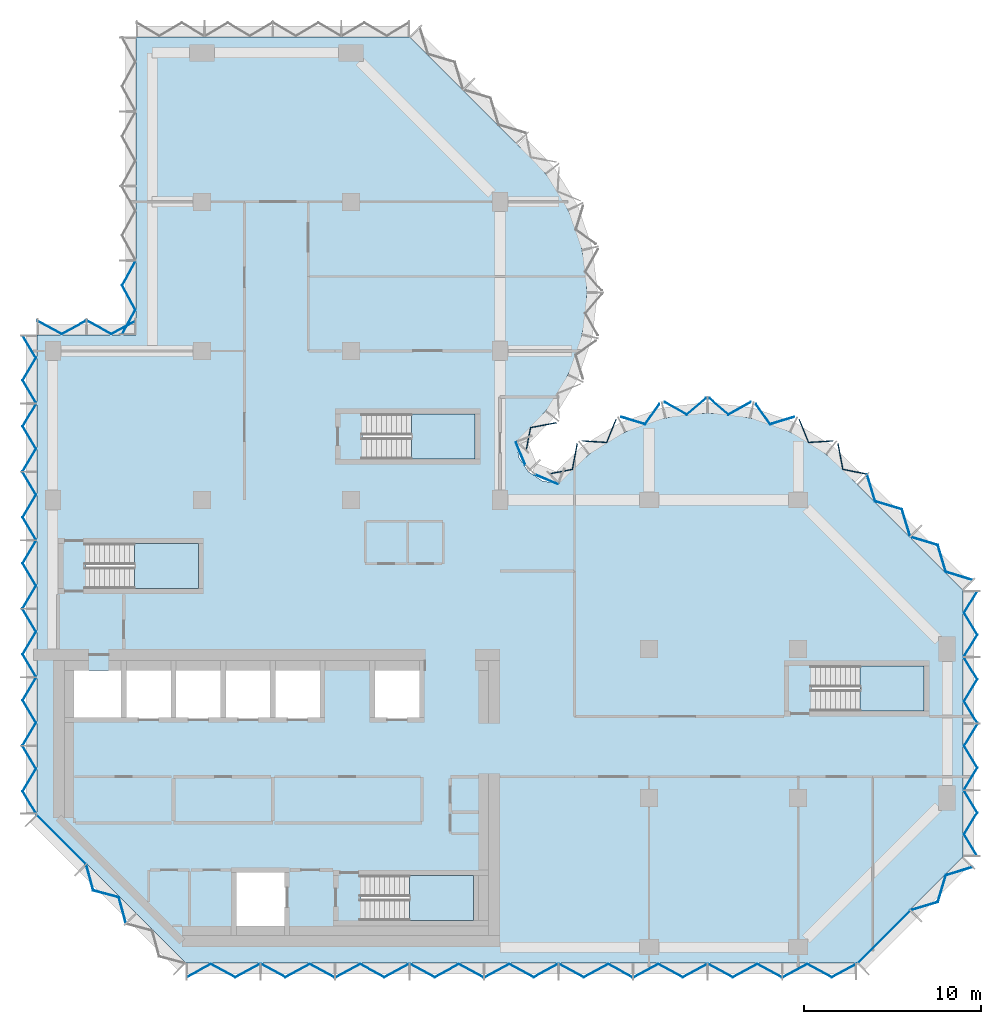
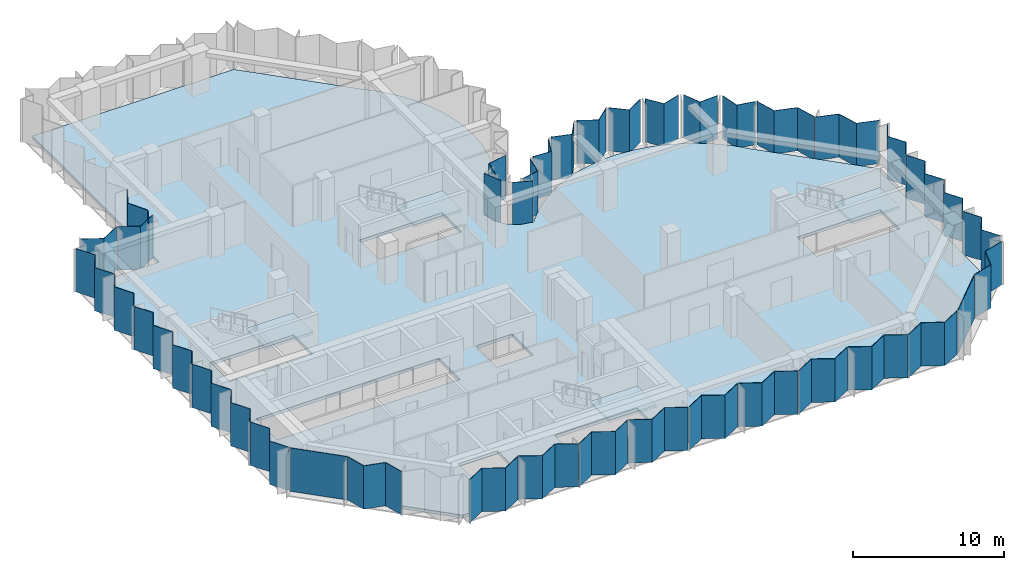
# One storey, part 3 of 9: 40 plates, 5 slabs, 15 elements without a shape of their own.
"""IFC4 building model written with IfcOpenShell, lengths in metres."""

import ifcopenshell
import ifcopenshell.guid

model = None  # the IFC model being written
_history = None  # IfcOwnerHistory: only IFC2X3 demands one
_inside = {}  # id of a spatial element -> (the spatial element, [elements in it])
_under = {}  # id of a project, library or spatial element -> (it, [spatial elements below it])
_declared = {}  # id of a project -> (the project, [libraries it declares])
_typed = {}  # id of a type object -> (the type object, [elements of that type])
_made_of = {}  # id of a material, layer set ... -> (it, [elements and type objects made of it])


def new_model(schema):
    """Start an empty IFC model of exactly this schema.

    Asked for "IFC4X3", IfcOpenShell would pick the latest addendum, in which some entities
    have other attributes; the version numbers below select the first issue.
    IFC2X3 requires an IfcOwnerHistory on every rooted entity: one is made here for all.
    """
    global model, _history
    if schema == "IFC4X3":
        model = ifcopenshell.file(schema_version=(4, 3, 0, 0))
    else:
        model = ifcopenshell.file(schema=schema)
    _inside.clear()
    _under.clear()
    _declared.clear()
    _typed.clear()
    _made_of.clear()
    _history = None
    if model.schema == "IFC2X3":
        org = make("IfcOrganization", Name="unknown")
        user = make(
            "IfcPersonAndOrganization",
            ThePerson=make("IfcPerson", FamilyName="unknown"),
            TheOrganization=org,
        )
        app = make(
            "IfcApplication",
            ApplicationDeveloper=org,
            Version="unknown",
            ApplicationFullName="unknown",
            ApplicationIdentifier="unknown",
        )
        _history = make(
            "IfcOwnerHistory",
            OwningUser=user,
            OwningApplication=app,
            ChangeAction="ADDED",
            CreationDate=0,
        )
    return model


def make(cls, **values):
    """One entity of the class cls with the attributes given. An attribute that is None is left unset."""
    return model.create_entity(
        cls, **{name: value for name, value in values.items() if value is not None}
    )


def rooted(cls, **values):
    """An entity with a GlobalId (a new one), such as an element, a storey or a relation."""
    return make(cls, GlobalId=ifcopenshell.guid.new(), OwnerHistory=_history, **values)


def si_unit(unit_type, name, prefix=None):
    """IfcSIUnit, for example si_unit("LENGTHUNIT", "METRE", prefix="MILLI")."""
    return make("IfcSIUnit", UnitType=unit_type, Prefix=prefix, Name=name)


def assignment(units):
    """IfcUnitAssignment: the units of a project."""
    return None if units is None else make("IfcUnitAssignment", Units=units)


def point(xyz):
    """IfcCartesianPoint."""
    return None if xyz is None else make("IfcCartesianPoint", Coordinates=xyz)


def direction(xyz):
    """IfcDirection."""
    return None if xyz is None else make("IfcDirection", DirectionRatios=xyz)


def frame(location, z_axis=None, x_axis=None):
    """IfcAxis2Placement3D, a coordinate frame: its origin and axes. An axis left out is left unset."""
    return make(
        "IfcAxis2Placement3D",
        Location=point(location),
        Axis=direction(z_axis),
        RefDirection=direction(x_axis),
    )


def origin():
    """The frame at (0, 0, 0) with its axes left unset."""
    return frame((0.0, 0.0, 0.0))


def place(relative_to, where):
    """IfcLocalPlacement: puts the frame where relative to a parent placement (None: the world)."""
    return make(
        "IfcLocalPlacement", PlacementRelTo=relative_to, RelativePlacement=where
    )


def context(
    kind, dimensions, precision=None, world=None, true_north=None, identifier=None
):
    """IfcGeometricRepresentationContext, for example the 3D "Model" context."""
    return make(
        "IfcGeometricRepresentationContext",
        ContextIdentifier=identifier,
        ContextType=kind,
        CoordinateSpaceDimension=dimensions,
        Precision=precision,
        WorldCoordinateSystem=world,
        TrueNorth=true_north,
    )


def subcontext(parent, identifier, kind, view, scale=None):
    """IfcGeometricRepresentationSubContext, for example "Body" below "Model"."""
    return make(
        "IfcGeometricRepresentationSubContext",
        ContextIdentifier=identifier,
        ContextType=kind,
        ParentContext=parent,
        TargetScale=scale,
        TargetView=view,
    )


def project(units=None, contexts=None):
    """IfcProject with its units and contexts."""
    return rooted(
        "IfcProject",
        Name="project",
        RepresentationContexts=contexts,
        UnitsInContext=assignment(units),
    )


def spatial(cls, under=None, at=None, **own):
    """A site, building, storey or space (cls), placed at a placement, below another one or the project."""
    s = rooted(cls, ObjectPlacement=at, **own)
    if under is not None:
        _under.setdefault(under.id(), (under, []))[1].append(s)
    return s


def polyline(points):
    """IfcPolyline through the points."""
    return make("IfcPolyline", Points=[point(p) for p in points])


def outline(outer, holes=None, kind="AREA"):
    """IfcArbitraryClosedProfileDef: a profile drawn as a closed curve; with holes, ...WithVoids."""
    if holes is None:
        return make("IfcArbitraryClosedProfileDef", ProfileType=kind, OuterCurve=outer)
    return make(
        "IfcArbitraryProfileDefWithVoids",
        ProfileType=kind,
        OuterCurve=outer,
        InnerCurves=holes,
    )


def extrude(swept, where, along, depth):
    """IfcExtrudedAreaSolid: the profile swept, set in the frame where, extruded along a direction by depth."""
    return make(
        "IfcExtrudedAreaSolid",
        SweptArea=swept,
        Position=where,
        ExtrudedDirection=direction(along),
        Depth=depth,
    )


def shape(context_of_items, identifier, shape_type, items):
    """IfcShapeRepresentation: the items that make up one representation, for example the "Body"."""
    return make(
        "IfcShapeRepresentation",
        ContextOfItems=context_of_items,
        RepresentationIdentifier=identifier,
        RepresentationType=shape_type,
        Items=items,
    )


def material(Name=None, Category=None):
    """IfcMaterial."""
    return make("IfcMaterial", Name=Name, Category=Category)


def layer(
    of_material, thickness, ventilated=None, Name=None, Category=None, Priority=None
):
    """IfcMaterialLayer: one layer of a wall or slab, of a material (None: an air gap)."""
    return make(
        "IfcMaterialLayer",
        Material=of_material,
        LayerThickness=thickness,
        IsVentilated=ventilated,
        Name=Name,
        Category=Category,
        Priority=Priority,
    )


def layer_set(layers, Name=None):
    """IfcMaterialLayerSet."""
    return make("IfcMaterialLayerSet", MaterialLayers=layers, LayerSetName=Name)


def made_of(thing, what):
    """Note that an element or type object is made of a material, layer set ...; save() writes the relation."""
    if what is not None:
        _made_of.setdefault(what.id(), (what, []))[1].append(thing)
    return thing


def type_object(cls, material=None, **own):
    """A type object (cls), such as IfcWallType, which elements share."""
    return made_of(rooted(cls, **own), material)


def element(
    cls,
    number,
    at=None,
    inside=None,
    cuts=None,
    type_object=None,
    material=None,
    context=None,
    identifier="Body",
    shape_type=None,
    held_by="IfcProductDefinitionShape",
    body=None,
    shapes=None,
    **own,
):
    """One element of the class cls, such as IfcWall. Its Tag is "e" and its number.

    at: its placement. inside: the storey or other place that contains it. cuts: it is an
    opening in that element (IfcRelVoidsElement). A single representation is given by context,
    identifier, shape_type and body (its items); several are given by shapes. held_by: the class
    of the entity that holds the representations. save() writes the other relations.
    """
    e = rooted(cls, Tag="e%d" % number, ObjectPlacement=at, **own)
    if body is not None:
        shapes = [shape(context, identifier, shape_type, body)]
    if shapes is not None:
        e.Representation = make(held_by, Representations=shapes)
    if inside is not None:
        _inside.setdefault(inside.id(), (inside, []))[1].append(e)
    if cuts is not None:
        rooted(
            "IfcRelVoidsElement", RelatingBuildingElement=cuts, RelatedOpeningElement=e
        )
    if type_object is not None:
        _typed.setdefault(type_object.id(), (type_object, []))[1].append(e)
    return made_of(e, material)


def aggregate(whole, parts):
    """IfcRelAggregates: a whole, such as a stair, and the parts it consists of."""
    return rooted("IfcRelAggregates", RelatingObject=whole, RelatedObjects=parts)


def save(model, path):
    """Write the relations noted so far, then the file.

    IfcRelAggregates (storeys below a building ...), IfcRelContainedInSpatialStructure (elements
    in a storey), IfcRelDefinesByType, IfcRelAssociatesMaterial and IfcRelDeclares: one each for
    every whole, place, type object, material and project.
    """
    for whole, parts in _under.values():
        aggregate(whole, parts)
    for where, things in _inside.values():
        rooted(
            "IfcRelContainedInSpatialStructure",
            RelatedElements=things,
            RelatingStructure=where,
        )
    for kind, things in _typed.values():
        rooted("IfcRelDefinesByType", RelatedObjects=things, RelatingType=kind)
    for what, things in _made_of.values():
        rooted("IfcRelAssociatesMaterial", RelatedObjects=things, RelatingMaterial=what)
    for by, libraries in _declared.values():
        rooted("IfcRelDeclares", RelatingContext=by, RelatedDefinitions=libraries)
    model.write(path)


model = new_model("IFC4")

# Units and contexts
model_context = context("Model", 3, precision=1e-05, world=origin(), true_north=direction((0.0, 1.0)))
body_context = subcontext(model_context, "Body", "Model", "MODEL_VIEW")
ifc_project = project(units=[si_unit("LENGTHUNIT", "METRE"), si_unit("AREAUNIT", "SQUARE_METRE"), si_unit("VOLUMEUNIT", "CUBIC_METRE"), si_unit("PLANEANGLEUNIT", "RADIAN"), si_unit("MASSUNIT", "GRAM", prefix="KILO")], contexts=[model_context])

# Site, building, storey
site_placement = place(None, origin())
site = spatial("IfcSite", under=ifc_project, at=site_placement, CompositionType="ELEMENT")
building_placement = place(site_placement, origin())
building = spatial("IfcBuilding", under=site, at=building_placement, Name="Brevane Broadcast Tower", CompositionType="ELEMENT")
storey_placement = place(building_placement, frame((0.0, 0.0, 192.0)))
storey = spatial("IfcBuildingStorey", under=building, at=storey_placement, Name="L48", CompositionType="ELEMENT", Elevation=192.0)

# Curtain wall, plates
ifc_material_1 = material(Name="Aluminium 6063-T6 bronze anodised", Category="aluminium")
curtain_wall_type = type_object("IfcCurtainWallType", Name="CW-1 curtain wall", PredefinedType="NOTDEFINED", material=ifc_material_1)
curtain_wall_1_placement = place(storey_placement, origin())
curtain_wall_1 = element("IfcCurtainWall", 1, at=curtain_wall_1_placement, inside=storey, type_object=curtain_wall_type, Name="CW-1 typical tilted unit L48 south face", PredefinedType="NOTDEFINED")
ifc_material_2 = material(Name="Laminated glass bronze-tinted", Category="glass")
ifc_layer_1 = layer(ifc_material_2, 0.0400390625)
ifc_layer_set_1 = layer_set([ifc_layer_1], Name="CW tall glass panel 40")
plate_type = type_object("IfcPlateType", Name="CW tall glass panel 40", PredefinedType="CURTAIN_PANEL", material=ifc_layer_set_1)
plate_1_placement = place(storey_placement, frame((0.0, 0.0, -0.14990234375)))
plate_1 = element("IfcPlate", 2, at=plate_1_placement, type_object=plate_type, Name="CW-1 glass panel", PredefinedType="CURTAIN_PANEL", context=body_context, shape_type="SweptSolid", body=[
    extrude(outline(polyline([(7.534912109375, -1.671630859375), (7.534912109375, -1.717041015625), (8.91162109375, -0.97265625), (10.288330078125, -1.717041015625), (11.6650390625, -0.97265625), (11.6650390625, -0.92724609375), (10.288330078125, -1.671630859375), (8.91162109375, -0.92724609375), (7.534912109375, -1.671630859375)])), origin(), (0.0, 0.0, 1.0), 3.5),
])
plate_2_placement = place(storey_placement, frame((0.0, 0.0, -0.14990234375)))
plate_2 = element("IfcPlate", 3, at=plate_2_placement, type_object=plate_type, Name="CW-1 glass panel", PredefinedType="CURTAIN_PANEL", context=body_context, shape_type="SweptSolid", body=[
    extrude(outline(polyline([(11.735107421875, -0.92724609375), (11.735107421875, -0.97265625), (13.11181640625, -1.717041015625), (14.48828125, -0.97265625), (15.864990234375, -1.717041015625), (15.864990234375, -1.671630859375), (14.48828125, -0.92724609375), (13.11181640625, -1.671630859375), (11.735107421875, -0.92724609375)])), origin(), (0.0, 0.0, 1.0), 3.5),
])
plate_3_placement = place(storey_placement, frame((0.0, 0.0, -0.14990234375)))
plate_3 = element("IfcPlate", 4, at=plate_3_placement, type_object=plate_type, Name="CW-1 glass panel", PredefinedType="CURTAIN_PANEL", context=body_context, shape_type="SweptSolid", body=[
    extrude(outline(polyline([(15.93505859375, -1.671630859375), (15.93505859375, -1.717041015625), (17.311767578125, -0.97265625), (18.688232421875, -1.717041015625), (20.06494140625, -0.97265625), (20.06494140625, -0.92724609375), (18.688232421875, -1.671630859375), (17.311767578125, -0.92724609375), (15.93505859375, -1.671630859375)])), origin(), (0.0, 0.0, 1.0), 3.5),
])
plate_4_placement = place(storey_placement, frame((0.0, 0.0, -0.14990234375)))
plate_4 = element("IfcPlate", 5, at=plate_4_placement, type_object=plate_type, Name="CW-1 glass panel", PredefinedType="CURTAIN_PANEL", context=body_context, shape_type="SweptSolid", body=[
    extrude(outline(polyline([(20.135009765625, -0.92724609375), (20.135009765625, -0.97265625), (21.51171875, -1.717041015625), (22.88818359375, -0.97265625), (24.264892578125, -1.717041015625), (24.264892578125, -1.671630859375), (22.88818359375, -0.92724609375), (21.51171875, -1.671630859375), (20.135009765625, -0.92724609375)])), origin(), (0.0, 0.0, 1.0), 3.5),
])
plate_5_placement = place(storey_placement, frame((0.0, 0.0, -0.14990234375)))
plate_5 = element("IfcPlate", 6, at=plate_5_placement, type_object=plate_type, Name="CW-1 glass panel", PredefinedType="CURTAIN_PANEL", context=body_context, shape_type="SweptSolid", body=[
    extrude(outline(polyline([(24.3349609375, -1.671630859375), (24.3349609375, -1.717041015625), (25.711669921875, -0.97265625), (27.08837890625, -1.717041015625), (28.465087890625, -0.97265625), (28.465087890625, -0.92724609375), (27.08837890625, -1.671630859375), (25.711669921875, -0.92724609375), (24.3349609375, -1.671630859375)])), origin(), (0.0, 0.0, 1.0), 3.5),
])
plate_6_placement = place(storey_placement, frame((0.0, 0.0, -0.14990234375)))
plate_6 = element("IfcPlate", 7, at=plate_6_placement, type_object=plate_type, Name="CW-1 glass panel", PredefinedType="CURTAIN_PANEL", context=body_context, shape_type="SweptSolid", body=[
    extrude(outline(polyline([(28.534912109375, -0.92724609375), (28.534912109375, -0.97265625), (29.91162109375, -1.717041015625), (31.288330078125, -0.97265625), (32.6650390625, -1.717041015625), (32.6650390625, -1.671630859375), (31.288330078125, -0.92724609375), (29.91162109375, -1.671630859375), (28.534912109375, -0.92724609375)])), origin(), (0.0, 0.0, 1.0), 3.5),
])
plate_7_placement = place(storey_placement, frame((0.0, 0.0, -0.14990234375)))
plate_7 = element("IfcPlate", 8, at=plate_7_placement, type_object=plate_type, Name="CW-1 glass panel", PredefinedType="CURTAIN_PANEL", context=body_context, shape_type="SweptSolid", body=[
    extrude(outline(polyline([(32.735107421875, -1.671630859375), (32.735107421875, -1.717041015625), (34.11181640625, -0.97265625), (35.48828125, -1.717041015625), (36.864990234375, -0.97265625), (36.864990234375, -0.92724609375), (35.48828125, -1.671630859375), (34.11181640625, -0.92724609375), (32.735107421875, -1.671630859375)])), origin(), (0.0, 0.0, 1.0), 3.5),
])
plate_8_placement = place(storey_placement, frame((0.0, 0.0, -0.14990234375)))
plate_8 = element("IfcPlate", 9, at=plate_8_placement, type_object=plate_type, Name="CW-1 glass panel", PredefinedType="CURTAIN_PANEL", context=body_context, shape_type="SweptSolid", body=[
    extrude(outline(polyline([(36.93505859375, -0.92724609375), (36.93505859375, -0.97265625), (38.311767578125, -1.717041015625), (39.688232421875, -0.97265625), (41.06494140625, -1.717041015625), (41.06494140625, -1.671630859375), (39.688232421875, -0.92724609375), (38.311767578125, -1.671630859375), (36.93505859375, -0.92724609375)])), origin(), (0.0, 0.0, 1.0), 3.5),
])
plate_9_placement = place(storey_placement, frame((0.0, 0.0, -0.14990234375)))
plate_9 = element("IfcPlate", 10, at=plate_9_placement, type_object=plate_type, Name="CW-1 glass panel", PredefinedType="CURTAIN_PANEL", context=body_context, shape_type="SweptSolid", body=[
    extrude(outline(polyline([(41.135009765625, -1.671630859375), (41.135009765625, -1.717041015625), (42.51171875, -0.97265625), (43.88818359375, -1.717041015625), (45.264892578125, -0.97265625), (45.264892578125, -0.92724609375), (43.88818359375, -1.671630859375), (42.51171875, -0.92724609375), (41.135009765625, -1.671630859375)])), origin(), (0.0, 0.0, 1.0), 3.5),
])
aggregate(curtain_wall_1, [plate_1, plate_2, plate_3, plate_4, plate_5, plate_6, plate_7, plate_8, plate_9])

curtain_wall_2_placement = place(storey_placement, origin())
curtain_wall_2 = element("IfcCurtainWall", 11, at=curtain_wall_2_placement, inside=storey, type_object=curtain_wall_type, Name="CW-1 typical tilted unit L48 south-east chamfer", PredefinedType="NOTDEFINED")
plate_10_placement = place(storey_placement, frame((0.0, 0.0, -0.14990234375)))
plate_10 = element("IfcPlate", 12, at=plate_10_placement, type_object=plate_type, Name="CW-1 glass panel", PredefinedType="CURTAIN_PANEL", context=body_context, shape_type="SweptSolid", body=[
    extrude(outline(polyline([(45.345947265625, -0.896484375), (48.29638671875, 2.053955078125), (48.32470703125, 2.02587890625), (45.374267578125, -0.9248046875), (45.345947265625, -0.896484375)])), origin(), (0.0, 0.0, 1.0), 3.5),
])
plate_11_placement = place(storey_placement, frame((0.0, 0.0, -0.14990234375)))
plate_11 = element("IfcPlate", 13, at=plate_11_placement, type_object=plate_type, Name="CW-1 glass panel", PredefinedType="CURTAIN_PANEL", context=body_context, shape_type="SweptSolid", body=[
    extrude(outline(polyline([(48.343994140625, 2.10546875), (48.376220703125, 2.073486328125), (49.885986328125, 2.530517578125), (50.343017578125, 4.040283203125), (51.85302734375, 4.49755859375), (51.82080078125, 4.529541015625), (50.31103515625, 4.072509765625), (49.85400390625, 2.5625), (48.343994140625, 2.10546875)])), origin(), (0.0, 0.0, 1.0), 3.5),
])
aggregate(curtain_wall_2, [plate_10, plate_11])

curtain_wall_3_placement = place(storey_placement, origin())
curtain_wall_3 = element("IfcCurtainWall", 14, at=curtain_wall_3_placement, inside=storey, type_object=curtain_wall_type, Name="CW-1 typical tilted unit L48 east end", PredefinedType="NOTDEFINED")
plate_12_placement = place(storey_placement, frame((0.0, 0.0, -0.14990234375)))
plate_12 = element("IfcPlate", 15, at=plate_12_placement, type_object=plate_type, Name="CW-1 glass panel", PredefinedType="CURTAIN_PANEL", context=body_context, shape_type="SweptSolid", body=[
    extrude(outline(polyline([(52.071044921875, 5.135009765625), (52.117919921875, 5.135009765625), (51.373291015625, 6.36181640625), (52.117919921875, 7.58837890625), (51.373291015625, 8.81494140625), (51.32666015625, 8.81494140625), (52.071044921875, 7.58837890625), (51.32666015625, 6.36181640625), (52.071044921875, 5.135009765625)])), origin(), (0.0, 0.0, 1.0), 3.5),
])
plate_13_placement = place(storey_placement, frame((0.0, 0.0, -0.14990234375)))
plate_13 = element("IfcPlate", 16, at=plate_13_placement, type_object=plate_type, Name="CW-1 glass panel", PredefinedType="CURTAIN_PANEL", context=body_context, shape_type="SweptSolid", body=[
    extrude(outline(polyline([(51.32666015625, 8.885009765625), (51.373291015625, 8.885009765625), (52.117919921875, 10.11181640625), (51.373291015625, 11.33837890625), (52.117919921875, 12.56494140625), (52.071044921875, 12.56494140625), (51.32666015625, 11.33837890625), (52.071044921875, 10.11181640625), (51.32666015625, 8.885009765625)])), origin(), (0.0, 0.0, 1.0), 3.5),
])
plate_14_placement = place(storey_placement, frame((0.0, 0.0, -0.14990234375)))
plate_14 = element("IfcPlate", 17, at=plate_14_placement, type_object=plate_type, Name="CW-1 glass panel", PredefinedType="CURTAIN_PANEL", context=body_context, shape_type="SweptSolid", body=[
    extrude(outline(polyline([(52.071044921875, 12.635009765625), (52.117919921875, 12.635009765625), (51.373291015625, 13.86181640625), (52.117919921875, 15.08837890625), (51.373291015625, 16.31494140625), (51.32666015625, 16.31494140625), (52.071044921875, 15.08837890625), (51.32666015625, 13.86181640625), (52.071044921875, 12.635009765625)])), origin(), (0.0, 0.0, 1.0), 3.5),
])
plate_15_placement = place(storey_placement, frame((0.0, 0.0, -0.14990234375)))
plate_15 = element("IfcPlate", 18, at=plate_15_placement, type_object=plate_type, Name="CW-1 glass panel", PredefinedType="CURTAIN_PANEL", context=body_context, shape_type="SweptSolid", body=[
    extrude(outline(polyline([(51.32666015625, 16.385009765625), (51.373291015625, 16.385009765625), (52.117919921875, 17.61181640625), (51.373291015625, 18.83837890625), (52.117919921875, 20.06494140625), (52.071044921875, 20.06494140625), (51.32666015625, 18.83837890625), (52.071044921875, 17.61181640625), (51.32666015625, 16.385009765625)])), origin(), (0.0, 0.0, 1.0), 3.5),
])
aggregate(curtain_wall_3, [plate_12, plate_13, plate_14, plate_15])

curtain_wall_4_placement = place(storey_placement, origin())
curtain_wall_4 = element("IfcCurtainWall", 19, at=curtain_wall_4_placement, inside=storey, type_object=curtain_wall_type, Name="CW-1 typical tilted unit L48 north-east chamfer", PredefinedType="NOTDEFINED")
plate_16_placement = place(storey_placement, frame((0.0, 0.0, -0.14990234375)))
plate_16 = element("IfcPlate", 20, at=plate_16_placement, type_object=plate_type, Name="CW-1 glass panel", PredefinedType="CURTAIN_PANEL", context=body_context, shape_type="SweptSolid", body=[
    extrude(outline(polyline([(51.82080078125, 20.67041015625), (51.85302734375, 20.702392578125), (50.343017578125, 21.15966796875), (49.885986328125, 22.66943359375), (48.376220703125, 23.126708984375), (48.343994140625, 23.094482421875), (49.85400390625, 22.637451171875), (50.31103515625, 21.127685546875), (51.82080078125, 20.67041015625)])), origin(), (0.0, 0.0, 1.0), 3.5),
])
plate_17_placement = place(storey_placement, frame((0.0, 0.0, -0.14990234375)))
plate_17 = element("IfcPlate", 21, at=plate_17_placement, type_object=plate_type, Name="CW-1 glass panel", PredefinedType="CURTAIN_PANEL", context=body_context, shape_type="SweptSolid", body=[
    extrude(outline(polyline([(48.294677734375, 23.14404296875), (48.32666015625, 23.176025390625), (47.869384765625, 24.68603515625), (46.359619140625, 25.14306640625), (45.902587890625, 26.653076171875), (45.870361328125, 26.620849609375), (46.32763671875, 25.111083984375), (47.83740234375, 24.65380859375), (48.294677734375, 23.14404296875)])), origin(), (0.0, 0.0, 1.0), 3.5),
])
aggregate(curtain_wall_4, [plate_16, plate_17])

curtain_wall_5_placement = place(storey_placement, origin())
curtain_wall_5 = element("IfcCurtainWall", 22, at=curtain_wall_5_placement, inside=storey, type_object=curtain_wall_type, Name="CW-1 typical tilted unit L48 east bow", PredefinedType="NOTDEFINED")
plate_18_placement = place(storey_placement, frame((0.0, 0.0, -0.14990234375)))
plate_18 = element("IfcPlate", 23, at=plate_18_placement, type_object=plate_type, Name="CW-1 glass panel", PredefinedType="CURTAIN_PANEL", context=body_context, shape_type="SweptSolid", body=[
    extrude(outline(polyline([(45.79150390625, 26.656005859375), (45.82470703125, 26.690185546875), (44.539306640625, 26.9423828125), (44.263916015625, 28.3857421875), (44.231201171875, 28.34375), (44.5048828125, 26.908203125), (45.79150390625, 26.656005859375)])), origin(), (0.0, 0.0, 1.0), 3.5),
])
plate_19_placement = place(storey_placement, frame((0.0, 0.0, -0.14990234375)))
plate_19 = element("IfcPlate", 24, at=plate_19_placement, type_object=plate_type, Name="CW-1 glass panel", PredefinedType="CURTAIN_PANEL", context=body_context, shape_type="SweptSolid", body=[
    extrude(outline(polyline([(43.950439453125, 28.5087890625), (43.9833984375, 28.551025390625), (42.601318359375, 28.462890625), (42.0703125, 29.76171875), (42.046875, 29.712890625), (42.5751953125, 28.42138671875), (43.950439453125, 28.5087890625)])), origin(), (0.0, 0.0, 1.0), 3.5),
])
plate_20_placement = place(storey_placement, frame((0.0, 0.0, -0.14990234375)))
plate_20 = element("IfcPlate", 25, at=plate_20_placement, type_object=plate_type, Name="CW-1 glass panel", PredefinedType="CURTAIN_PANEL", context=body_context, shape_type="SweptSolid", body=[
    extrude(outline(polyline([(41.75537109375, 29.851806640625), (41.778564453125, 29.900634765625), (40.435546875, 29.494384765625), (39.6328125, 30.622802734375), (39.62060546875, 30.57080078125), (40.41943359375, 29.44775390625), (41.75537109375, 29.851806640625)])), origin(), (0.0, 0.0, 1.0), 3.5),
])
plate_21_placement = place(storey_placement, frame((0.0, 0.0, -0.14990234375)))
plate_21 = element("IfcPlate", 26, at=plate_21_placement, type_object=plate_type, Name="CW-1 glass panel", PredefinedType="CURTAIN_PANEL", context=body_context, shape_type="SweptSolid", body=[
    extrude(outline(polyline([(39.31640625, 30.68798828125), (39.328369140625, 30.740478515625), (38.069580078125, 30.036376953125), (37.008056640625, 30.94921875), (37.008056640625, 30.896484375), (38.064697265625, 29.98779296875), (39.31640625, 30.68798828125)])), origin(), (0.0, 0.0, 1.0), 3.5),
])
plate_22_placement = place(storey_placement, frame((0.0, 0.0, -0.14990234375)))
plate_22 = element("IfcPlate", 27, at=plate_22_placement, type_object=plate_type, Name="CW-1 glass panel", PredefinedType="CURTAIN_PANEL", context=body_context, shape_type="SweptSolid", body=[
    extrude(outline(polyline([(36.7919921875, 30.896484375), (36.7919921875, 30.94921875), (35.730224609375, 30.036376953125), (34.4716796875, 30.740478515625), (34.483642578125, 30.68798828125), (35.735107421875, 29.98779296875), (36.7919921875, 30.896484375)])), origin(), (0.0, 0.0, 1.0), 3.5),
])
plate_23_placement = place(storey_placement, frame((0.0, 0.0, -0.14990234375)))
plate_23 = element("IfcPlate", 28, at=plate_23_placement, type_object=plate_type, Name="CW-1 glass panel", PredefinedType="CURTAIN_PANEL", context=body_context, shape_type="SweptSolid", body=[
    extrude(outline(polyline([(34.17919921875, 30.57080078125), (34.167236328125, 30.622802734375), (33.364501953125, 29.494384765625), (32.021484375, 29.900634765625), (32.044677734375, 29.851806640625), (33.380615234375, 29.44775390625), (34.17919921875, 30.57080078125)])), origin(), (0.0, 0.0, 1.0), 3.5),
])
plate_24_placement = place(storey_placement, frame((0.0, 0.0, -0.14990234375)))
plate_24 = element("IfcPlate", 29, at=plate_24_placement, type_object=plate_type, Name="CW-1 glass panel", PredefinedType="CURTAIN_PANEL", context=body_context, shape_type="SweptSolid", body=[
    extrude(outline(polyline([(31.753173828125, 29.712890625), (31.729736328125, 29.76171875), (31.198486328125, 28.462890625), (29.816650390625, 28.551025390625), (29.849609375, 28.5087890625), (31.224609375, 28.42138671875), (31.753173828125, 29.712890625)])), origin(), (0.0, 0.0, 1.0), 3.5),
])
plate_25_placement = place(storey_placement, frame((0.0, 0.0, -0.14990234375)))
plate_25 = element("IfcPlate", 30, at=plate_25_placement, type_object=plate_type, Name="CW-1 glass panel", PredefinedType="CURTAIN_PANEL", context=body_context, shape_type="SweptSolid", body=[
    extrude(outline(polyline([(29.568603515625, 28.34375), (29.535888671875, 28.3857421875), (29.2607421875, 26.9423828125), (27.975341796875, 26.690185546875), (28.008544921875, 26.656005859375), (29.294921875, 26.908203125), (29.568603515625, 28.34375)])), origin(), (0.0, 0.0, 1.0), 3.5),
])
aggregate(curtain_wall_5, [plate_18, plate_19, plate_20, plate_21, plate_22, plate_23, plate_24, plate_25])

curtain_wall_6_placement = place(storey_placement, origin())
curtain_wall_6 = element("IfcCurtainWall", 31, at=curtain_wall_6_placement, inside=storey, type_object=curtain_wall_type, Name="CW-1 typical tilted unit L48 inner corner", PredefinedType="NOTDEFINED")
plate_26_placement = place(storey_placement, frame((0.0, 0.0, -0.14990234375)))
plate_26 = element("IfcPlate", 32, at=plate_26_placement, type_object=plate_type, Name="CW-1 glass panel", PredefinedType="CURTAIN_PANEL", context=body_context, shape_type="SweptSolid", body=[
    extrude(outline(polyline([(28.45166015625, 26.07470703125), (28.466796875, 26.111572265625), (27.2021484375, 26.635498046875), (27.17138671875, 26.60498046875), (28.45166015625, 26.07470703125)])), origin(), (0.0, 0.0, 1.0), 3.5),
])
plate_27_placement = place(storey_placement, frame((0.0, 0.0, -0.14990234375)))
plate_27 = element("IfcPlate", 33, at=plate_27_placement, type_object=plate_type, Name="CW-1 glass panel", PredefinedType="CURTAIN_PANEL", context=body_context, shape_type="SweptSolid", body=[
    extrude(outline(polyline([(26.60498046875, 27.17138671875), (26.635498046875, 27.2021484375), (26.111572265625, 28.466796875), (26.07470703125, 28.45166015625), (26.60498046875, 27.17138671875)])), origin(), (0.0, 0.0, 1.0), 3.5),
])
aggregate(curtain_wall_6, [plate_26, plate_27])

# Curtain wall, plate
curtain_wall_7_placement = place(storey_placement, origin())
curtain_wall_7 = element("IfcCurtainWall", 34, at=curtain_wall_7_placement, inside=storey, type_object=curtain_wall_type, Name="CW-1 typical tilted unit L48 north bow", PredefinedType="NOTDEFINED")
plate_28_placement = place(storey_placement, frame((0.0, 0.0, -0.14990234375)))
plate_28 = element("IfcPlate", 35, at=plate_28_placement, type_object=plate_type, Name="CW-1 glass panel", PredefinedType="CURTAIN_PANEL", context=body_context, shape_type="SweptSolid", body=[
    extrude(outline(polyline([(26.656005859375, 28.008544921875), (26.690185546875, 27.975341796875), (26.9423828125, 29.2607421875), (28.3857421875, 29.535888671875), (28.34375, 29.568603515625), (26.908203125, 29.294921875), (26.656005859375, 28.008544921875)])), origin(), (0.0, 0.0, 1.0), 3.5),
])
aggregate(curtain_wall_7, [plate_28])

curtain_wall_8_placement = place(storey_placement, origin())
curtain_wall_8 = element("IfcCurtainWall", 36, at=curtain_wall_8_placement, inside=storey, type_object=curtain_wall_type, Name="CW-1 typical tilted unit L48 north wing west face, lower block", PredefinedType="NOTDEFINED")
plate_29_placement = place(storey_placement, frame((0.0, 0.0, -0.14990234375)))
plate_29 = element("IfcPlate", 37, at=plate_29_placement, type_object=plate_type, Name="CW-1 glass panel", PredefinedType="CURTAIN_PANEL", context=body_context, shape_type="SweptSolid", body=[
    extrude(outline(polyline([(4.672607421875, 38.6650390625), (4.627197265625, 38.6650390625), (3.8828125, 37.288330078125), (4.627197265625, 35.91162109375), (3.8828125, 34.534912109375), (3.92822265625, 34.534912109375), (4.672607421875, 35.91162109375), (3.92822265625, 37.288330078125), (4.672607421875, 38.6650390625)])), origin(), (0.0, 0.0, 1.0), 3.5),
])
aggregate(curtain_wall_8, [plate_29])

# Curtain wall, plates
curtain_wall_9_placement = place(storey_placement, origin())
curtain_wall_9 = element("IfcCurtainWall", 38, at=curtain_wall_9_placement, inside=storey, type_object=curtain_wall_type, Name="CW-1 typical tilted unit L48 north wing west return, lower block", PredefinedType="NOTDEFINED")
plate_30_placement = place(storey_placement, frame((0.0, 0.0, -0.14990234375)))
plate_30 = element("IfcPlate", 39, at=plate_30_placement, type_object=plate_type, Name="CW-1 glass panel", PredefinedType="CURTAIN_PANEL", context=body_context, shape_type="SweptSolid", body=[
    extrude(outline(polyline([(4.6650390625, 35.271484375), (4.6650390625, 35.317138671875), (3.300048828125, 34.57275390625), (1.93505859375, 35.317138671875), (1.93505859375, 35.271484375), (3.300048828125, 34.527099609375), (4.6650390625, 35.271484375)])), origin(), (0.0, 0.0, 1.0), 3.5),
])
plate_31_placement = place(storey_placement, frame((0.0, 0.0, -0.14990234375)))
plate_31 = element("IfcPlate", 40, at=plate_31_placement, type_object=plate_type, Name="CW-1 glass panel", PredefinedType="CURTAIN_PANEL", context=body_context, shape_type="SweptSolid", body=[
    extrude(outline(polyline([(1.864990234375, 35.271484375), (1.864990234375, 35.317138671875), (0.5, 34.57275390625), (-0.864990234375, 35.317138671875), (-0.864990234375, 35.271484375), (0.5, 34.527099609375), (1.864990234375, 35.271484375)])), origin(), (0.0, 0.0, 1.0), 3.5),
])
aggregate(curtain_wall_9, [plate_30, plate_31])

curtain_wall_10_placement = place(storey_placement, origin())
curtain_wall_10 = element("IfcCurtainWall", 41, at=curtain_wall_10_placement, inside=storey, type_object=curtain_wall_type, Name="CW-1 typical tilted unit L48 west face", PredefinedType="NOTDEFINED")
plate_32_placement = place(storey_placement, frame((0.0, 0.0, -0.14990234375)))
plate_32 = element("IfcPlate", 42, at=plate_32_placement, type_object=plate_type, Name="CW-1 glass panel", PredefinedType="CURTAIN_PANEL", context=body_context, shape_type="SweptSolid", body=[
    extrude(outline(polyline([(-1.671142578125, 34.465087890625), (-1.717529296875, 34.465087890625), (-0.97314453125, 33.20263671875), (-1.717529296875, 31.940185546875), (-0.97314453125, 30.677978515625), (-0.9267578125, 30.677978515625), (-1.671142578125, 31.940185546875), (-0.9267578125, 33.20263671875), (-1.671142578125, 34.465087890625)])), origin(), (0.0, 0.0, 1.0), 3.5),
])
plate_33_placement = place(storey_placement, frame((0.0, 0.0, -0.14990234375)))
plate_33 = element("IfcPlate", 43, at=plate_33_placement, type_object=plate_type, Name="CW-1 glass panel", PredefinedType="CURTAIN_PANEL", context=body_context, shape_type="SweptSolid", body=[
    extrude(outline(polyline([(-0.9267578125, 30.60791015625), (-0.97314453125, 30.60791015625), (-1.717529296875, 29.345458984375), (-0.97314453125, 28.0830078125), (-1.717529296875, 26.82080078125), (-1.671142578125, 26.82080078125), (-0.9267578125, 28.0830078125), (-1.671142578125, 29.345458984375), (-0.9267578125, 30.60791015625)])), origin(), (0.0, 0.0, 1.0), 3.5),
])
plate_34_placement = place(storey_placement, frame((0.0, 0.0, -0.14990234375)))
plate_34 = element("IfcPlate", 44, at=plate_34_placement, type_object=plate_type, Name="CW-1 glass panel", PredefinedType="CURTAIN_PANEL", context=body_context, shape_type="SweptSolid", body=[
    extrude(outline(polyline([(-1.671142578125, 26.750732421875), (-1.717529296875, 26.750732421875), (-0.97314453125, 25.48828125), (-1.717529296875, 24.22607421875), (-0.97314453125, 22.963623046875), (-0.9267578125, 22.963623046875), (-1.671142578125, 24.22607421875), (-0.9267578125, 25.48828125), (-1.671142578125, 26.750732421875)])), origin(), (0.0, 0.0, 1.0), 3.5),
])
plate_35_placement = place(storey_placement, frame((0.0, 0.0, -0.14990234375)))
plate_35 = element("IfcPlate", 45, at=plate_35_placement, type_object=plate_type, Name="CW-1 glass panel", PredefinedType="CURTAIN_PANEL", context=body_context, shape_type="SweptSolid", body=[
    extrude(outline(polyline([(-0.9267578125, 22.8935546875), (-0.97314453125, 22.8935546875), (-1.717529296875, 21.631103515625), (-0.97314453125, 20.368896484375), (-1.717529296875, 19.1064453125), (-1.671142578125, 19.1064453125), (-0.9267578125, 20.368896484375), (-1.671142578125, 21.631103515625), (-0.9267578125, 22.8935546875)])), origin(), (0.0, 0.0, 1.0), 3.5),
])
plate_36_placement = place(storey_placement, frame((0.0, 0.0, -0.14990234375)))
plate_36 = element("IfcPlate", 46, at=plate_36_placement, type_object=plate_type, Name="CW-1 glass panel", PredefinedType="CURTAIN_PANEL", context=body_context, shape_type="SweptSolid", body=[
    extrude(outline(polyline([(-1.671142578125, 19.036376953125), (-1.717529296875, 19.036376953125), (-0.97314453125, 17.77392578125), (-1.717529296875, 16.51171875), (-0.97314453125, 15.249267578125), (-0.9267578125, 15.249267578125), (-1.671142578125, 16.51171875), (-0.9267578125, 17.77392578125), (-1.671142578125, 19.036376953125)])), origin(), (0.0, 0.0, 1.0), 3.5),
])
plate_37_placement = place(storey_placement, frame((0.0, 0.0, -0.14990234375)))
plate_37 = element("IfcPlate", 47, at=plate_37_placement, type_object=plate_type, Name="CW-1 glass panel", PredefinedType="CURTAIN_PANEL", context=body_context, shape_type="SweptSolid", body=[
    extrude(outline(polyline([(-0.9267578125, 15.17919921875), (-0.97314453125, 15.17919921875), (-1.717529296875, 13.9169921875), (-0.97314453125, 12.654541015625), (-1.717529296875, 11.39208984375), (-1.671142578125, 11.39208984375), (-0.9267578125, 12.654541015625), (-1.671142578125, 13.9169921875), (-0.9267578125, 15.17919921875)])), origin(), (0.0, 0.0, 1.0), 3.5),
])
plate_38_placement = place(storey_placement, frame((0.0, 0.0, -0.14990234375)))
plate_38 = element("IfcPlate", 48, at=plate_38_placement, type_object=plate_type, Name="CW-1 glass panel", PredefinedType="CURTAIN_PANEL", context=body_context, shape_type="SweptSolid", body=[
    extrude(outline(polyline([(-1.671142578125, 11.322021484375), (-1.717529296875, 11.322021484375), (-0.97314453125, 10.059814453125), (-1.717529296875, 8.79736328125), (-0.97314453125, 7.534912109375), (-0.9267578125, 7.534912109375), (-1.671142578125, 8.79736328125), (-0.9267578125, 10.059814453125), (-1.671142578125, 11.322021484375)])), origin(), (0.0, 0.0, 1.0), 3.5),
])
aggregate(curtain_wall_10, [plate_32, plate_33, plate_34, plate_35, plate_36, plate_37, plate_38])

curtain_wall_11_placement = place(storey_placement, origin())
curtain_wall_11 = element("IfcCurtainWall", 49, at=curtain_wall_11_placement, inside=storey, type_object=curtain_wall_type, Name="CW-1 typical tilted unit L48 south-west chamfer", PredefinedType="NOTDEFINED")
plate_39_placement = place(storey_placement, frame((0.0, 0.0, -0.14990234375)))
plate_39 = element("IfcPlate", 50, at=plate_39_placement, type_object=plate_type, Name="CW-1 glass panel", PredefinedType="CURTAIN_PANEL", context=body_context, shape_type="SweptSolid", body=[
    extrude(outline(polyline([(-0.896484375, 7.4541015625), (1.85400390625, 4.70361328125), (1.82568359375, 4.67529296875), (-0.9248046875, 7.42578125), (-0.896484375, 7.4541015625)])), origin(), (0.0, 0.0, 1.0), 3.5),
])
plate_40_placement = place(storey_placement, frame((0.0, 0.0, -0.14990234375)))
plate_40 = element("IfcPlate", 51, at=plate_40_placement, type_object=plate_type, Name="CW-1 glass panel", PredefinedType="CURTAIN_PANEL", context=body_context, shape_type="SweptSolid", body=[
    extrude(outline(polyline([(1.90576171875, 4.65625), (1.873046875, 4.62353515625), (2.263671875, 3.180419921875), (3.706787109375, 2.789794921875), (4.09716796875, 1.3466796875), (4.1298828125, 1.37939453125), (3.739501953125, 2.822509765625), (2.296142578125, 3.212890625), (1.90576171875, 4.65625)])), origin(), (0.0, 0.0, 1.0), 3.5),
])
aggregate(curtain_wall_11, [plate_39, plate_40])

# Stair, slab
ifc_material_3 = material(Name="Concrete C50/60", Category="concrete")
stair_type = type_object("IfcStairType", Name="Exit stair 22 risers", PredefinedType="HALF_TURN_STAIR", material=ifc_material_3)
stair_1_placement = place(storey_placement, origin())
stair_1 = element("IfcStair", 52, at=stair_1_placement, inside=storey, type_object=stair_type, Name="L48 Exit stair ST-1", PredefinedType="HALF_TURN_STAIR")
ifc_layer_2 = layer(ifc_material_3, 0.199951171875)
ifc_layer_set_2 = layer_set([ifc_layer_2], Name="Exit stair landing")
slab_type_1 = type_object("IfcSlabType", Name="Exit stair landing", PredefinedType="LANDING", material=ifc_layer_set_2)
slab_1_placement = place(storey_placement, frame((0.0, 0.0, 1.60009765625)))
slab_1 = element("IfcSlab", 53, at=slab_1_placement, type_object=slab_type_1, Name="ST-1 landing 1", PredefinedType="LANDING", context=body_context, shape_type="SweptSolid", body=[
    extrude(outline(polyline([(4.60009765625, 20.199951171875), (8.199951171875, 20.199951171875), (8.199951171875, 22.75), (4.60009765625, 22.75), (4.60009765625, 20.199951171875)])), origin(), (0.0, 0.0, 1.0), 0.199951171875),
])
aggregate(stair_1, [slab_1])

stair_2_placement = place(storey_placement, origin())
stair_2 = element("IfcStair", 54, at=stair_2_placement, inside=storey, type_object=stair_type, Name="L48 Exit stair ST-2", PredefinedType="HALF_TURN_STAIR")
slab_2_placement = place(storey_placement, frame((0.0, 0.0, 1.60009765625)))
slab_2 = element("IfcSlab", 55, at=slab_2_placement, type_object=slab_type_1, Name="ST-2 landing 1", PredefinedType="LANDING", context=body_context, shape_type="SweptSolid", body=[
    extrude(outline(polyline([(20.10009765625, 1.5), (23.699951171875, 1.5), (23.699951171875, 4.050048828125), (20.10009765625, 4.050048828125), (20.10009765625, 1.5)])), origin(), (0.0, 0.0, 1.0), 0.199951171875),
])
aggregate(stair_2, [slab_2])

stair_3_placement = place(storey_placement, origin())
stair_3 = element("IfcStair", 56, at=stair_3_placement, inside=storey, type_object=stair_type, Name="L48 Exit stair ST-3", PredefinedType="HALF_TURN_STAIR")
slab_3_placement = place(storey_placement, frame((0.0, 0.0, 1.60009765625)))
slab_3 = element("IfcSlab", 57, at=slab_3_placement, type_object=slab_type_1, Name="ST-3 landing 1", PredefinedType="LANDING", context=body_context, shape_type="SweptSolid", body=[
    extrude(outline(polyline([(20.199951171875, 27.5), (23.800048828125, 27.5), (23.800048828125, 30.050048828125), (20.199951171875, 30.050048828125), (20.199951171875, 27.5)])), origin(), (0.0, 0.0, 1.0), 0.199951171875),
])
aggregate(stair_3, [slab_3])

stair_4_placement = place(storey_placement, origin())
stair_4 = element("IfcStair", 58, at=stair_4_placement, inside=storey, type_object=stair_type, Name="L48 Exit stair ST-4", PredefinedType="HALF_TURN_STAIR")
slab_4_placement = place(storey_placement, frame((0.0, 0.0, 1.60009765625)))
slab_4 = element("IfcSlab", 59, at=slab_4_placement, type_object=slab_type_1, Name="ST-4 landing 1", PredefinedType="LANDING", context=body_context, shape_type="SweptSolid", body=[
    extrude(outline(polyline([(45.5, 13.300048828125), (49.10009765625, 13.300048828125), (49.10009765625, 15.85009765625), (45.5, 15.85009765625), (45.5, 13.300048828125)])), origin(), (0.0, 0.0, 1.0), 0.199951171875),
])
aggregate(stair_4, [slab_4])

# Slab
ifc_material_4 = material(Name="Concrete C40/50", Category="concrete")
ifc_layer_3 = layer(ifc_material_4, 0.25)
ifc_layer_set_3 = layer_set([ifc_layer_3], Name="RC FLOOR SLAB 250 C40/50")
slab_type_2 = type_object("IfcSlabType", Name="RC FLOOR SLAB 250 C40/50", PredefinedType="FLOOR", material=ifc_layer_set_3)
slab_5_placement = place(storey_placement, frame((0.0, 0.0, -0.25)))
element("IfcSlab", 60, at=slab_5_placement, inside=storey, type_object=slab_type_2, Name="SL250 L48", PredefinedType="FLOOR", context=body_context, shape_type="SweptSolid", body=[
    extrude(outline(polyline([(-0.89990234375, 7.5), (-0.89990234375, 34.5), (4.699951171875, 34.5), (4.699951171875, 51.300048828125), (20.10009765625, 51.300048828125), (26.10009765625, 45.300048828125), (27.10888671875, 44.36865234375), (27.99169921875, 43.317138671875), (28.734130859375, 42.162353515625), (29.324462890625, 40.922607421875), (29.7529296875, 39.618408203125), (30.012939453125, 38.270263671875), (30.10009765625, 36.89990234375), (30.012939453125, 35.52978515625), (29.7529296875, 34.181640625), (29.324462890625, 32.877197265625), (28.734130859375, 31.6376953125), (27.99169921875, 30.48291015625), (27.10888671875, 29.431396484375), (26.10009765625, 28.5), (26.28271484375, 27.58154296875), (26.802978515625, 26.802978515625), (27.58154296875, 26.28271484375), (28.5, 26.10009765625), (29.431396484375, 27.10888671875), (30.48291015625, 27.99169921875), (31.6376953125, 28.734130859375), (32.877197265625, 29.324462890625), (34.181640625, 29.7529296875), (35.52978515625, 30.012939453125), (36.89990234375, 30.10009765625), (38.270263671875, 30.012939453125), (39.618408203125, 29.7529296875), (40.922607421875, 29.324462890625), (42.162353515625, 28.734130859375), (43.317138671875, 27.99169921875), (44.36865234375, 27.10888671875), (45.300048828125, 26.10009765625), (51.300048828125, 20.10009765625), (51.300048828125, 5.10009765625), (45.300048828125, -0.89990234375), (7.5, -0.89990234375), (-0.89990234375, 7.5)]), holes=[polyline([(13.199951171875, 4.39990234375), (10.199951171875, 4.39990234375), (10.199951171875, 1.199951171875), (13.199951171875, 1.199951171875), (13.199951171875, 4.39990234375)]), polyline([(4.0, 15.60009765625), (1.199951171875, 15.60009765625), (1.199951171875, 12.800048828125), (4.0, 12.800048828125), (6.800048828125, 12.800048828125), (9.60009765625, 12.800048828125), (12.39990234375, 12.800048828125), (15.199951171875, 12.800048828125), (15.199951171875, 15.60009765625), (12.39990234375, 15.60009765625), (9.60009765625, 15.60009765625), (6.800048828125, 15.60009765625), (4.0, 15.60009765625)]), polyline([(1.860107421875, 22.75), (1.860107421875, 20.199951171875), (8.199951171875, 20.199951171875), (8.199951171875, 22.75), (1.860107421875, 22.75)]), polyline([(23.699951171875, 4.050048828125), (17.360107421875, 4.050048828125), (17.360107421875, 1.5), (23.699951171875, 1.5), (23.699951171875, 4.050048828125)]), polyline([(20.800048828125, 15.60009765625), (18.0, 15.60009765625), (18.0, 12.800048828125), (20.800048828125, 12.800048828125), (20.800048828125, 15.60009765625)]), polyline([(49.10009765625, 15.85009765625), (42.760009765625, 15.85009765625), (42.760009765625, 13.300048828125), (49.10009765625, 13.300048828125), (49.10009765625, 15.85009765625)]), polyline([(23.800048828125, 30.050048828125), (17.4599609375, 30.050048828125), (17.4599609375, 27.5), (23.800048828125, 27.5), (23.800048828125, 30.050048828125)])]), origin(), (0.0, 0.0, 1.0), 0.25),
])

save(model, "model.ifc")
